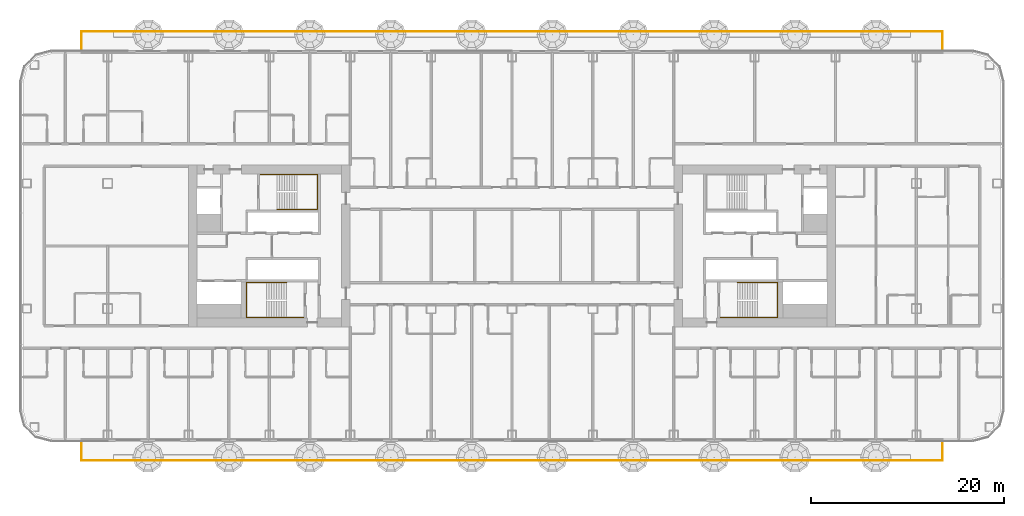
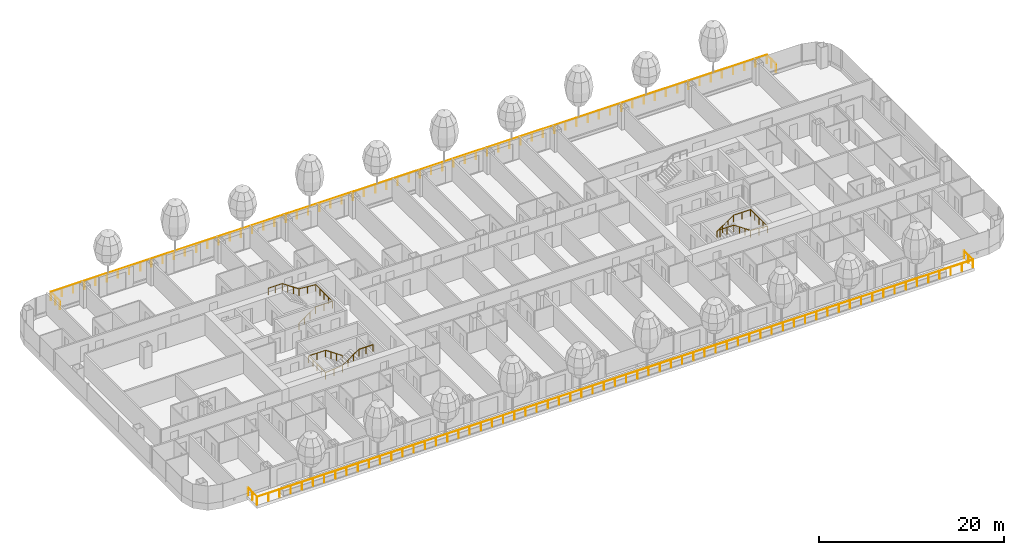
# One storey, part 30 of 37: 5 railings.
"""IFC4 building model written with IfcOpenShell, lengths in metres."""

from ifc_helpers import new_model, si_unit, direction, frame, origin, origin_2d, place, context, subcontext, project, spatial, circle, extrude, material, type_object, element, save


model = new_model("IFC4")

# Units and contexts
model_context = context("Model", 3, precision=1e-05, world=origin(), true_north=direction((0.0, 1.0)))
body_context = subcontext(model_context, "Body", "Model", "MODEL_VIEW")
ifc_project = project(units=[si_unit("LENGTHUNIT", "METRE"), si_unit("AREAUNIT", "SQUARE_METRE"), si_unit("VOLUMEUNIT", "CUBIC_METRE"), si_unit("PLANEANGLEUNIT", "RADIAN"), si_unit("MASSUNIT", "GRAM", prefix="KILO")], contexts=[model_context])

# Site, building, storey
site_placement = place(None, origin())
site = spatial("IfcSite", under=ifc_project, at=site_placement, CompositionType="ELEMENT")
building_placement = place(site_placement, origin())
building = spatial("IfcBuilding", under=site, at=building_placement, Name="Hakoniwa Tower and Hamabe Station Hall", CompositionType="ELEMENT")
storey_placement = place(building_placement, frame((0.0, 0.0, 39.0)))
storey = spatial("IfcBuildingStorey", under=building, at=storey_placement, Name="L10", CompositionType="ELEMENT", Elevation=39.0)

# Railings
ifc_material_1 = material(Name="Stainless steel and laminated glass", Category="steel")
railing_type_1 = type_object("IfcRailingType", Name="BALCONY BALUSTRADE 1100", PredefinedType="BALUSTRADE", material=ifc_material_1)
railing_1_placement = place(storey_placement, frame((-44.699951171875, 20.300048828125, 0.0)))
element("IfcRailing", 1, at=railing_1_placement, inside=storey, type_object=railing_type_1, Name="Balcony balustrade", PredefinedType="BALUSTRADE", context=body_context, shape_type="SweptSolid", body=[
    extrude(circle(Radius=0.02392578125, at=origin_2d()), frame((0.0, 0.0, 1.076171875), z_axis=(0.0, 1.0, 0.0), x_axis=(-1.0, 0.0, 0.0)), (0.0, 0.0, 1.0), 2.0),
    extrude(circle(Radius=0.02392578125, at=origin_2d()), frame((0.0, 2.0, 1.076171875), z_axis=(1.0, 0.0, 0.0), x_axis=(0.0, 1.0, 0.0)), (0.0, 0.0, 1.0), 89.39990234375),
    extrude(circle(Radius=0.02392578125, at=origin_2d()), frame((89.39990234375, 2.0, 1.076171875), z_axis=(0.0, -1.0, 0.0), x_axis=(1.0, 0.0, 0.0)), (0.0, 0.0, 1.0), 2.0),
    extrude(circle(Radius=0.02099609375, at=origin_2d()), origin(), (0.0, 0.0, 1.0), 1.052001953125),
    extrude(circle(Radius=0.02099609375, at=origin_2d()), frame((0.0, 1.0, 0.0)), (0.0, 0.0, 1.0), 1.052001953125),
    extrude(circle(Radius=0.02099609375, at=origin_2d()), frame((0.0, 2.0, 0.0)), (0.0, 0.0, 1.0), 1.052001953125),
    extrude(circle(Radius=0.02099609375, at=origin_2d()), frame((1.39697265625, 2.0, 0.0)), (0.0, 0.0, 1.0), 1.052001953125),
    extrude(circle(Radius=0.02099609375, at=origin_2d()), frame((2.793701171875, 2.0, 0.0)), (0.0, 0.0, 1.0), 1.052001953125),
    extrude(circle(Radius=0.02099609375, at=origin_2d()), frame((4.190673828125, 2.0, 0.0)), (0.0, 0.0, 1.0), 1.052001953125),
    extrude(circle(Radius=0.02099609375, at=origin_2d()), frame((5.58740234375, 2.0, 0.0)), (0.0, 0.0, 1.0), 1.052001953125),
    extrude(circle(Radius=0.02099609375, at=origin_2d()), frame((6.984375, 2.0, 0.0)), (0.0, 0.0, 1.0), 1.052001953125),
    extrude(circle(Radius=0.02099609375, at=origin_2d()), frame((8.38134765625, 2.0, 0.0)), (0.0, 0.0, 1.0), 1.052001953125),
    extrude(circle(Radius=0.02099609375, at=origin_2d()), frame((9.778076171875, 2.0, 0.0)), (0.0, 0.0, 1.0), 1.052001953125),
    extrude(circle(Radius=0.02099609375, at=origin_2d()), frame((11.175048828125, 2.0, 0.0)), (0.0, 0.0, 1.0), 1.052001953125),
    extrude(circle(Radius=0.02099609375, at=origin_2d()), frame((12.57177734375, 2.0, 0.0)), (0.0, 0.0, 1.0), 1.052001953125),
    extrude(circle(Radius=0.02099609375, at=origin_2d()), frame((13.96875, 2.0, 0.0)), (0.0, 0.0, 1.0), 1.052001953125),
    extrude(circle(Radius=0.02099609375, at=origin_2d()), frame((15.36572265625, 2.0, 0.0)), (0.0, 0.0, 1.0), 1.052001953125),
    extrude(circle(Radius=0.02099609375, at=origin_2d()), frame((16.762451171875, 2.0, 0.0)), (0.0, 0.0, 1.0), 1.052001953125),
    extrude(circle(Radius=0.02099609375, at=origin_2d()), frame((18.159423828125, 2.0, 0.0)), (0.0, 0.0, 1.0), 1.052001953125),
    extrude(circle(Radius=0.02099609375, at=origin_2d()), frame((19.55615234375, 2.0, 0.0)), (0.0, 0.0, 1.0), 1.052001953125),
    extrude(circle(Radius=0.02099609375, at=origin_2d()), frame((20.953125, 2.0, 0.0)), (0.0, 0.0, 1.0), 1.052001953125),
    extrude(circle(Radius=0.02099609375, at=origin_2d()), frame((22.35009765625, 2.0, 0.0)), (0.0, 0.0, 1.0), 1.052001953125),
    extrude(circle(Radius=0.02099609375, at=origin_2d()), frame((23.746826171875, 2.0, 0.0)), (0.0, 0.0, 1.0), 1.052001953125),
    extrude(circle(Radius=0.02099609375, at=origin_2d()), frame((25.143798828125, 2.0, 0.0)), (0.0, 0.0, 1.0), 1.052001953125),
    extrude(circle(Radius=0.02099609375, at=origin_2d()), frame((26.54052734375, 2.0, 0.0)), (0.0, 0.0, 1.0), 1.052001953125),
    extrude(circle(Radius=0.02099609375, at=origin_2d()), frame((27.9375, 2.0, 0.0)), (0.0, 0.0, 1.0), 1.052001953125),
    extrude(circle(Radius=0.02099609375, at=origin_2d()), frame((29.334228515625, 2.0, 0.0)), (0.0, 0.0, 1.0), 1.052001953125),
    extrude(circle(Radius=0.02099609375, at=origin_2d()), frame((30.731201171875, 2.0, 0.0)), (0.0, 0.0, 1.0), 1.052001953125),
    extrude(circle(Radius=0.02099609375, at=origin_2d()), frame((32.128173828125, 2.0, 0.0)), (0.0, 0.0, 1.0), 1.052001953125),
    extrude(circle(Radius=0.02099609375, at=origin_2d()), frame((33.52490234375, 2.0, 0.0)), (0.0, 0.0, 1.0), 1.052001953125),
    extrude(circle(Radius=0.02099609375, at=origin_2d()), frame((34.921875, 2.0, 0.0)), (0.0, 0.0, 1.0), 1.052001953125),
    extrude(circle(Radius=0.02099609375, at=origin_2d()), frame((36.318603515625, 2.0, 0.0)), (0.0, 0.0, 1.0), 1.052001953125),
    extrude(circle(Radius=0.02099609375, at=origin_2d()), frame((37.715576171875, 2.0, 0.0)), (0.0, 0.0, 1.0), 1.052001953125),
    extrude(circle(Radius=0.02099609375, at=origin_2d()), frame((39.112548828125, 2.0, 0.0)), (0.0, 0.0, 1.0), 1.052001953125),
    extrude(circle(Radius=0.02099609375, at=origin_2d()), frame((40.50927734375, 2.0, 0.0)), (0.0, 0.0, 1.0), 1.052001953125),
    extrude(circle(Radius=0.02099609375, at=origin_2d()), frame((41.90625, 2.0, 0.0)), (0.0, 0.0, 1.0), 1.052001953125),
    extrude(circle(Radius=0.02099609375, at=origin_2d()), frame((43.302978515625, 2.0, 0.0)), (0.0, 0.0, 1.0), 1.052001953125),
    extrude(circle(Radius=0.02099609375, at=origin_2d()), frame((44.699951171875, 2.0, 0.0)), (0.0, 0.0, 1.0), 1.052001953125),
    extrude(circle(Radius=0.02099609375, at=origin_2d()), frame((46.096923828125, 2.0, 0.0)), (0.0, 0.0, 1.0), 1.052001953125),
    extrude(circle(Radius=0.02099609375, at=origin_2d()), frame((47.49365234375, 2.0, 0.0)), (0.0, 0.0, 1.0), 1.052001953125),
    extrude(circle(Radius=0.02099609375, at=origin_2d()), frame((48.890625, 2.0, 0.0)), (0.0, 0.0, 1.0), 1.052001953125),
    extrude(circle(Radius=0.02099609375, at=origin_2d()), frame((50.287353515625, 2.0, 0.0)), (0.0, 0.0, 1.0), 1.052001953125),
    extrude(circle(Radius=0.02099609375, at=origin_2d()), frame((51.684326171875, 2.0, 0.0)), (0.0, 0.0, 1.0), 1.052001953125),
    extrude(circle(Radius=0.02099609375, at=origin_2d()), frame((53.081298828125, 2.0, 0.0)), (0.0, 0.0, 1.0), 1.052001953125),
    extrude(circle(Radius=0.02099609375, at=origin_2d()), frame((54.47802734375, 2.0, 0.0)), (0.0, 0.0, 1.0), 1.052001953125),
    extrude(circle(Radius=0.02099609375, at=origin_2d()), frame((55.875, 2.0, 0.0)), (0.0, 0.0, 1.0), 1.052001953125),
    extrude(circle(Radius=0.02099609375, at=origin_2d()), frame((57.271728515625, 2.0, 0.0)), (0.0, 0.0, 1.0), 1.052001953125),
    extrude(circle(Radius=0.02099609375, at=origin_2d()), frame((58.668701171875, 2.0, 0.0)), (0.0, 0.0, 1.0), 1.052001953125),
    extrude(circle(Radius=0.02099609375, at=origin_2d()), frame((60.065673828125, 2.0, 0.0)), (0.0, 0.0, 1.0), 1.052001953125),
    extrude(circle(Radius=0.02099609375, at=origin_2d()), frame((61.46240234375, 2.0, 0.0)), (0.0, 0.0, 1.0), 1.052001953125),
    extrude(circle(Radius=0.02099609375, at=origin_2d()), frame((62.859375, 2.0, 0.0)), (0.0, 0.0, 1.0), 1.052001953125),
    extrude(circle(Radius=0.02099609375, at=origin_2d()), frame((64.256103515625, 2.0, 0.0)), (0.0, 0.0, 1.0), 1.052001953125),
    extrude(circle(Radius=0.02099609375, at=origin_2d()), frame((65.653076171875, 2.0, 0.0)), (0.0, 0.0, 1.0), 1.052001953125),
    extrude(circle(Radius=0.02099609375, at=origin_2d()), frame((67.0498046875, 2.0, 0.0)), (0.0, 0.0, 1.0), 1.052001953125),
    extrude(circle(Radius=0.02099609375, at=origin_2d()), frame((68.44677734375, 2.0, 0.0)), (0.0, 0.0, 1.0), 1.052001953125),
    extrude(circle(Radius=0.02099609375, at=origin_2d()), frame((69.84375, 2.0, 0.0)), (0.0, 0.0, 1.0), 1.052001953125),
    extrude(circle(Radius=0.02099609375, at=origin_2d()), frame((71.240478515625, 2.0, 0.0)), (0.0, 0.0, 1.0), 1.052001953125),
    extrude(circle(Radius=0.02099609375, at=origin_2d()), frame((72.637451171875, 2.0, 0.0)), (0.0, 0.0, 1.0), 1.052001953125),
    extrude(circle(Radius=0.02099609375, at=origin_2d()), frame((74.0341796875, 2.0, 0.0)), (0.0, 0.0, 1.0), 1.052001953125),
    extrude(circle(Radius=0.02099609375, at=origin_2d()), frame((75.43115234375, 2.0, 0.0)), (0.0, 0.0, 1.0), 1.052001953125),
    extrude(circle(Radius=0.02099609375, at=origin_2d()), frame((76.828125, 2.0, 0.0)), (0.0, 0.0, 1.0), 1.052001953125),
    extrude(circle(Radius=0.02099609375, at=origin_2d()), frame((78.224853515625, 2.0, 0.0)), (0.0, 0.0, 1.0), 1.052001953125),
    extrude(circle(Radius=0.02099609375, at=origin_2d()), frame((79.621826171875, 2.0, 0.0)), (0.0, 0.0, 1.0), 1.052001953125),
    extrude(circle(Radius=0.02099609375, at=origin_2d()), frame((81.0185546875, 2.0, 0.0)), (0.0, 0.0, 1.0), 1.052001953125),
    extrude(circle(Radius=0.02099609375, at=origin_2d()), frame((82.41552734375, 2.0, 0.0)), (0.0, 0.0, 1.0), 1.052001953125),
    extrude(circle(Radius=0.02099609375, at=origin_2d()), frame((83.8125, 2.0, 0.0)), (0.0, 0.0, 1.0), 1.052001953125),
    extrude(circle(Radius=0.02099609375, at=origin_2d()), frame((85.209228515625, 2.0, 0.0)), (0.0, 0.0, 1.0), 1.052001953125),
    extrude(circle(Radius=0.02099609375, at=origin_2d()), frame((86.606201171875, 2.0, 0.0)), (0.0, 0.0, 1.0), 1.052001953125),
    extrude(circle(Radius=0.02099609375, at=origin_2d()), frame((88.0029296875, 2.0, 0.0)), (0.0, 0.0, 1.0), 1.052001953125),
    extrude(circle(Radius=0.02099609375, at=origin_2d()), frame((89.39990234375, 2.0, 0.0)), (0.0, 0.0, 1.0), 1.052001953125),
    extrude(circle(Radius=0.02099609375, at=origin_2d()), frame((89.39990234375, 1.0, 0.0)), (0.0, 0.0, 1.0), 1.052001953125),
    extrude(circle(Radius=0.02099609375, at=origin_2d()), frame((89.39990234375, 0.0, 0.0)), (0.0, 0.0, 1.0), 1.052001953125),
])
railing_2_placement = place(storey_placement, frame((-44.699951171875, -20.300048828125, 0.0)))
element("IfcRailing", 2, at=railing_2_placement, inside=storey, type_object=railing_type_1, Name="Balcony balustrade", PredefinedType="BALUSTRADE", context=body_context, shape_type="SweptSolid", body=[
    extrude(circle(Radius=0.02392578125, at=origin_2d()), frame((0.0, 0.0, 1.076171875), z_axis=(0.0, -1.0, 0.0), x_axis=(1.0, 0.0, 0.0)), (0.0, 0.0, 1.0), 2.0),
    extrude(circle(Radius=0.02392578125, at=origin_2d()), frame((0.0, -2.0, 1.076171875), z_axis=(1.0, 0.0, 0.0), x_axis=(0.0, 1.0, 0.0)), (0.0, 0.0, 1.0), 89.39990234375),
    extrude(circle(Radius=0.02392578125, at=origin_2d()), frame((89.39990234375, -2.0, 1.076171875), z_axis=(0.0, 1.0, 0.0), x_axis=(-1.0, 0.0, 0.0)), (0.0, 0.0, 1.0), 2.0),
    extrude(circle(Radius=0.02099609375, at=origin_2d()), origin(), (0.0, 0.0, 1.0), 1.052001953125),
    extrude(circle(Radius=0.02099609375, at=origin_2d()), frame((0.0, -1.0, 0.0)), (0.0, 0.0, 1.0), 1.052001953125),
    extrude(circle(Radius=0.02099609375, at=origin_2d()), frame((0.0, -2.0, 0.0)), (0.0, 0.0, 1.0), 1.052001953125),
    extrude(circle(Radius=0.02099609375, at=origin_2d()), frame((1.39697265625, -2.0, 0.0)), (0.0, 0.0, 1.0), 1.052001953125),
    extrude(circle(Radius=0.02099609375, at=origin_2d()), frame((2.793701171875, -2.0, 0.0)), (0.0, 0.0, 1.0), 1.052001953125),
    extrude(circle(Radius=0.02099609375, at=origin_2d()), frame((4.190673828125, -2.0, 0.0)), (0.0, 0.0, 1.0), 1.052001953125),
    extrude(circle(Radius=0.02099609375, at=origin_2d()), frame((5.58740234375, -2.0, 0.0)), (0.0, 0.0, 1.0), 1.052001953125),
    extrude(circle(Radius=0.02099609375, at=origin_2d()), frame((6.984375, -2.0, 0.0)), (0.0, 0.0, 1.0), 1.052001953125),
    extrude(circle(Radius=0.02099609375, at=origin_2d()), frame((8.38134765625, -2.0, 0.0)), (0.0, 0.0, 1.0), 1.052001953125),
    extrude(circle(Radius=0.02099609375, at=origin_2d()), frame((9.778076171875, -2.0, 0.0)), (0.0, 0.0, 1.0), 1.052001953125),
    extrude(circle(Radius=0.02099609375, at=origin_2d()), frame((11.175048828125, -2.0, 0.0)), (0.0, 0.0, 1.0), 1.052001953125),
    extrude(circle(Radius=0.02099609375, at=origin_2d()), frame((12.57177734375, -2.0, 0.0)), (0.0, 0.0, 1.0), 1.052001953125),
    extrude(circle(Radius=0.02099609375, at=origin_2d()), frame((13.96875, -2.0, 0.0)), (0.0, 0.0, 1.0), 1.052001953125),
    extrude(circle(Radius=0.02099609375, at=origin_2d()), frame((15.36572265625, -2.0, 0.0)), (0.0, 0.0, 1.0), 1.052001953125),
    extrude(circle(Radius=0.02099609375, at=origin_2d()), frame((16.762451171875, -2.0, 0.0)), (0.0, 0.0, 1.0), 1.052001953125),
    extrude(circle(Radius=0.02099609375, at=origin_2d()), frame((18.159423828125, -2.0, 0.0)), (0.0, 0.0, 1.0), 1.052001953125),
    extrude(circle(Radius=0.02099609375, at=origin_2d()), frame((19.55615234375, -2.0, 0.0)), (0.0, 0.0, 1.0), 1.052001953125),
    extrude(circle(Radius=0.02099609375, at=origin_2d()), frame((20.953125, -2.0, 0.0)), (0.0, 0.0, 1.0), 1.052001953125),
    extrude(circle(Radius=0.02099609375, at=origin_2d()), frame((22.35009765625, -2.0, 0.0)), (0.0, 0.0, 1.0), 1.052001953125),
    extrude(circle(Radius=0.02099609375, at=origin_2d()), frame((23.746826171875, -2.0, 0.0)), (0.0, 0.0, 1.0), 1.052001953125),
    extrude(circle(Radius=0.02099609375, at=origin_2d()), frame((25.143798828125, -2.0, 0.0)), (0.0, 0.0, 1.0), 1.052001953125),
    extrude(circle(Radius=0.02099609375, at=origin_2d()), frame((26.54052734375, -2.0, 0.0)), (0.0, 0.0, 1.0), 1.052001953125),
    extrude(circle(Radius=0.02099609375, at=origin_2d()), frame((27.9375, -2.0, 0.0)), (0.0, 0.0, 1.0), 1.052001953125),
    extrude(circle(Radius=0.02099609375, at=origin_2d()), frame((29.334228515625, -2.0, 0.0)), (0.0, 0.0, 1.0), 1.052001953125),
    extrude(circle(Radius=0.02099609375, at=origin_2d()), frame((30.731201171875, -2.0, 0.0)), (0.0, 0.0, 1.0), 1.052001953125),
    extrude(circle(Radius=0.02099609375, at=origin_2d()), frame((32.128173828125, -2.0, 0.0)), (0.0, 0.0, 1.0), 1.052001953125),
    extrude(circle(Radius=0.02099609375, at=origin_2d()), frame((33.52490234375, -2.0, 0.0)), (0.0, 0.0, 1.0), 1.052001953125),
    extrude(circle(Radius=0.02099609375, at=origin_2d()), frame((34.921875, -2.0, 0.0)), (0.0, 0.0, 1.0), 1.052001953125),
    extrude(circle(Radius=0.02099609375, at=origin_2d()), frame((36.318603515625, -2.0, 0.0)), (0.0, 0.0, 1.0), 1.052001953125),
    extrude(circle(Radius=0.02099609375, at=origin_2d()), frame((37.715576171875, -2.0, 0.0)), (0.0, 0.0, 1.0), 1.052001953125),
    extrude(circle(Radius=0.02099609375, at=origin_2d()), frame((39.112548828125, -2.0, 0.0)), (0.0, 0.0, 1.0), 1.052001953125),
    extrude(circle(Radius=0.02099609375, at=origin_2d()), frame((40.50927734375, -2.0, 0.0)), (0.0, 0.0, 1.0), 1.052001953125),
    extrude(circle(Radius=0.02099609375, at=origin_2d()), frame((41.90625, -2.0, 0.0)), (0.0, 0.0, 1.0), 1.052001953125),
    extrude(circle(Radius=0.02099609375, at=origin_2d()), frame((43.302978515625, -2.0, 0.0)), (0.0, 0.0, 1.0), 1.052001953125),
    extrude(circle(Radius=0.02099609375, at=origin_2d()), frame((44.699951171875, -2.0, 0.0)), (0.0, 0.0, 1.0), 1.052001953125),
    extrude(circle(Radius=0.02099609375, at=origin_2d()), frame((46.096923828125, -2.0, 0.0)), (0.0, 0.0, 1.0), 1.052001953125),
    extrude(circle(Radius=0.02099609375, at=origin_2d()), frame((47.49365234375, -2.0, 0.0)), (0.0, 0.0, 1.0), 1.052001953125),
    extrude(circle(Radius=0.02099609375, at=origin_2d()), frame((48.890625, -2.0, 0.0)), (0.0, 0.0, 1.0), 1.052001953125),
    extrude(circle(Radius=0.02099609375, at=origin_2d()), frame((50.287353515625, -2.0, 0.0)), (0.0, 0.0, 1.0), 1.052001953125),
    extrude(circle(Radius=0.02099609375, at=origin_2d()), frame((51.684326171875, -2.0, 0.0)), (0.0, 0.0, 1.0), 1.052001953125),
    extrude(circle(Radius=0.02099609375, at=origin_2d()), frame((53.081298828125, -2.0, 0.0)), (0.0, 0.0, 1.0), 1.052001953125),
    extrude(circle(Radius=0.02099609375, at=origin_2d()), frame((54.47802734375, -2.0, 0.0)), (0.0, 0.0, 1.0), 1.052001953125),
    extrude(circle(Radius=0.02099609375, at=origin_2d()), frame((55.875, -2.0, 0.0)), (0.0, 0.0, 1.0), 1.052001953125),
    extrude(circle(Radius=0.02099609375, at=origin_2d()), frame((57.271728515625, -2.0, 0.0)), (0.0, 0.0, 1.0), 1.052001953125),
    extrude(circle(Radius=0.02099609375, at=origin_2d()), frame((58.668701171875, -2.0, 0.0)), (0.0, 0.0, 1.0), 1.052001953125),
    extrude(circle(Radius=0.02099609375, at=origin_2d()), frame((60.065673828125, -2.0, 0.0)), (0.0, 0.0, 1.0), 1.052001953125),
    extrude(circle(Radius=0.02099609375, at=origin_2d()), frame((61.46240234375, -2.0, 0.0)), (0.0, 0.0, 1.0), 1.052001953125),
    extrude(circle(Radius=0.02099609375, at=origin_2d()), frame((62.859375, -2.0, 0.0)), (0.0, 0.0, 1.0), 1.052001953125),
    extrude(circle(Radius=0.02099609375, at=origin_2d()), frame((64.256103515625, -2.0, 0.0)), (0.0, 0.0, 1.0), 1.052001953125),
    extrude(circle(Radius=0.02099609375, at=origin_2d()), frame((65.653076171875, -2.0, 0.0)), (0.0, 0.0, 1.0), 1.052001953125),
    extrude(circle(Radius=0.02099609375, at=origin_2d()), frame((67.0498046875, -2.0, 0.0)), (0.0, 0.0, 1.0), 1.052001953125),
    extrude(circle(Radius=0.02099609375, at=origin_2d()), frame((68.44677734375, -2.0, 0.0)), (0.0, 0.0, 1.0), 1.052001953125),
    extrude(circle(Radius=0.02099609375, at=origin_2d()), frame((69.84375, -2.0, 0.0)), (0.0, 0.0, 1.0), 1.052001953125),
    extrude(circle(Radius=0.02099609375, at=origin_2d()), frame((71.240478515625, -2.0, 0.0)), (0.0, 0.0, 1.0), 1.052001953125),
    extrude(circle(Radius=0.02099609375, at=origin_2d()), frame((72.637451171875, -2.0, 0.0)), (0.0, 0.0, 1.0), 1.052001953125),
    extrude(circle(Radius=0.02099609375, at=origin_2d()), frame((74.0341796875, -2.0, 0.0)), (0.0, 0.0, 1.0), 1.052001953125),
    extrude(circle(Radius=0.02099609375, at=origin_2d()), frame((75.43115234375, -2.0, 0.0)), (0.0, 0.0, 1.0), 1.052001953125),
    extrude(circle(Radius=0.02099609375, at=origin_2d()), frame((76.828125, -2.0, 0.0)), (0.0, 0.0, 1.0), 1.052001953125),
    extrude(circle(Radius=0.02099609375, at=origin_2d()), frame((78.224853515625, -2.0, 0.0)), (0.0, 0.0, 1.0), 1.052001953125),
    extrude(circle(Radius=0.02099609375, at=origin_2d()), frame((79.621826171875, -2.0, 0.0)), (0.0, 0.0, 1.0), 1.052001953125),
    extrude(circle(Radius=0.02099609375, at=origin_2d()), frame((81.0185546875, -2.0, 0.0)), (0.0, 0.0, 1.0), 1.052001953125),
    extrude(circle(Radius=0.02099609375, at=origin_2d()), frame((82.41552734375, -2.0, 0.0)), (0.0, 0.0, 1.0), 1.052001953125),
    extrude(circle(Radius=0.02099609375, at=origin_2d()), frame((83.8125, -2.0, 0.0)), (0.0, 0.0, 1.0), 1.052001953125),
    extrude(circle(Radius=0.02099609375, at=origin_2d()), frame((85.209228515625, -2.0, 0.0)), (0.0, 0.0, 1.0), 1.052001953125),
    extrude(circle(Radius=0.02099609375, at=origin_2d()), frame((86.606201171875, -2.0, 0.0)), (0.0, 0.0, 1.0), 1.052001953125),
    extrude(circle(Radius=0.02099609375, at=origin_2d()), frame((88.0029296875, -2.0, 0.0)), (0.0, 0.0, 1.0), 1.052001953125),
    extrude(circle(Radius=0.02099609375, at=origin_2d()), frame((89.39990234375, -2.0, 0.0)), (0.0, 0.0, 1.0), 1.052001953125),
    extrude(circle(Radius=0.02099609375, at=origin_2d()), frame((89.39990234375, -1.0, 0.0)), (0.0, 0.0, 1.0), 1.052001953125),
    extrude(circle(Radius=0.02099609375, at=origin_2d()), frame((89.39990234375, 0.0, 0.0)), (0.0, 0.0, 1.0), 1.052001953125),
])
ifc_material_2 = material(Name="Stainless steel SUS304", Category="steel")
railing_type_2 = type_object("IfcRailingType", Name="STAIR HANDRAIL 900", PredefinedType="HANDRAIL", material=ifc_material_2)
railing_3_placement = place(storey_placement, frame((-24.39990234375, 3.81005859375, 0.177734375)))
element("IfcRailing", 3, at=railing_3_placement, inside=storey, type_object=railing_type_2, Name="Handrail ST-1 L10 1", PredefinedType="HANDRAIL", context=body_context, shape_type="SweptSolid", body=[
    extrude(circle(Radius=0.02392578125, at=origin_2d()), frame((0.0, 0.0, 0.8759765625), z_axis=(0.825433201882, 0.0, 0.564499804456), x_axis=(0.0, 1.0, 0.0)), (0.0, 0.0, 1.0), 2.519775390625),
    extrude(circle(Radius=0.02392578125, at=origin_2d()), frame((2.079833984375, 0.0, 2.29833984375), z_axis=(1.0, 0.0, 0.0), x_axis=(0.0, 1.0, 0.0)), (0.0, 0.0, 1.0), 2.110107421875),
    extrude(circle(Radius=0.02392578125, at=origin_2d()), frame((4.18994140625, 0.0, 2.29833984375), z_axis=(0.0, 1.0, 0.0), x_axis=(-1.0, 0.0, 0.0)), (0.0, 0.0, 1.0), 3.6298828125),
    extrude(circle(Radius=0.02392578125, at=origin_2d()), frame((4.18994140625, 3.6298828125, 2.29833984375), z_axis=(-0.996471417081, 0.0, 0.083932800143), x_axis=(0.0, -1.0, 0.0)), (0.0, 0.0, 1.0), 2.11767578125),
    extrude(circle(Radius=0.02392578125, at=origin_2d()), frame((2.079833984375, 3.6298828125, 2.47607421875), z_axis=(-0.825478349766, 0.0, 0.564433781827), x_axis=(0.0, -1.0, 0.0)), (0.0, 0.0, 1.0), 2.51953125),
    extrude(circle(Radius=0.02392578125, at=origin_2d()), frame((0.0, 3.6298828125, 3.89794921875), z_axis=(-1.0, 0.0, 0.0), x_axis=(0.0, -1.0, 0.0)), (0.0, 0.0, 1.0), 1.739990234375),
    extrude(circle(Radius=0.02099609375, at=origin_2d()), origin(), (0.0, 0.0, 1.0), 0.851806640625),
    extrude(circle(Radius=0.02099609375, at=origin_2d()), frame((0.693359375, 0.0, 0.47412109375)), (0.0, 0.0, 1.0), 0.851806640625),
    extrude(circle(Radius=0.02099609375, at=origin_2d()), frame((1.386474609375, 0.0, 0.9482421875)), (0.0, 0.0, 1.0), 0.851806640625),
    extrude(circle(Radius=0.02099609375, at=origin_2d()), frame((2.079833984375, 0.0, 1.42236328125)), (0.0, 0.0, 1.0), 0.851806640625),
    extrude(circle(Radius=0.02099609375, at=origin_2d()), frame((3.134765625, 0.0, 1.42236328125)), (0.0, 0.0, 1.0), 0.851806640625),
    extrude(circle(Radius=0.02099609375, at=origin_2d()), frame((4.18994140625, 0.0, 1.42236328125)), (0.0, 0.0, 1.0), 0.851806640625),
    extrude(circle(Radius=0.02099609375, at=origin_2d()), frame((4.18994140625, 0.907470703125, 1.42236328125)), (0.0, 0.0, 1.0), 0.851806640625),
    extrude(circle(Radius=0.02099609375, at=origin_2d()), frame((4.18994140625, 1.81494140625, 1.42236328125)), (0.0, 0.0, 1.0), 0.851806640625),
    extrude(circle(Radius=0.02099609375, at=origin_2d()), frame((4.18994140625, 2.722412109375, 1.42236328125)), (0.0, 0.0, 1.0), 0.851806640625),
    extrude(circle(Radius=0.02099609375, at=origin_2d()), frame((4.18994140625, 3.6298828125, 1.42236328125)), (0.0, 0.0, 1.0), 0.851806640625),
    extrude(circle(Radius=0.02099609375, at=origin_2d()), frame((3.134765625, 3.6298828125, 1.51123046875)), (0.0, 0.0, 1.0), 0.851806640625),
    extrude(circle(Radius=0.02099609375, at=origin_2d()), frame((2.079833984375, 3.6298828125, 1.60009765625)), (0.0, 0.0, 1.0), 0.851806640625),
    extrude(circle(Radius=0.02099609375, at=origin_2d()), frame((1.386474609375, 3.6298828125, 2.07421875)), (0.0, 0.0, 1.0), 0.851806640625),
    extrude(circle(Radius=0.02099609375, at=origin_2d()), frame((0.693359375, 3.6298828125, 2.548095703125)), (0.0, 0.0, 1.0), 0.851806640625),
    extrude(circle(Radius=0.02099609375, at=origin_2d()), frame((0.0, 3.6298828125, 3.022216796875)), (0.0, 0.0, 1.0), 0.851806640625),
    extrude(circle(Radius=0.02099609375, at=origin_2d()), frame((-0.8701171875, 3.6298828125, 3.022216796875)), (0.0, 0.0, 1.0), 0.851806640625),
    extrude(circle(Radius=0.02099609375, at=origin_2d()), frame((-1.739990234375, 3.6298828125, 3.022216796875)), (0.0, 0.0, 1.0), 0.851806640625),
])
railing_4_placement = place(storey_placement, frame((-23.39990234375, -3.81005859375, 0.177734375)))
element("IfcRailing", 4, at=railing_4_placement, inside=storey, type_object=railing_type_2, Name="Handrail ST-2 L10 1", PredefinedType="HANDRAIL", context=body_context, shape_type="SweptSolid", body=[
    extrude(circle(Radius=0.02392578125, at=origin_2d()), frame((0.0, 0.0, 0.8759765625), z_axis=(-0.825464074169, 0.0, 0.564454659168), x_axis=(0.0, -1.0, 0.0)), (0.0, 0.0, 1.0), 2.519775390625),
    extrude(circle(Radius=0.02392578125, at=origin_2d()), frame((-2.080078125, 0.0, 2.29833984375), z_axis=(-1.0, 0.0, 0.0), x_axis=(0.0, -1.0, 0.0)), (0.0, 0.0, 1.0), 2.110107421875),
    extrude(circle(Radius=0.02392578125, at=origin_2d()), frame((-4.190185546875, 0.0, 2.29833984375), z_axis=(0.0, -1.0, 0.0), x_axis=(1.0, 0.0, 0.0)), (0.0, 0.0, 1.0), 3.6298828125),
    extrude(circle(Radius=0.02392578125, at=origin_2d()), frame((-4.190185546875, -3.6298828125, 2.29833984375), z_axis=(0.996471417081, 0.0, 0.083932800143), x_axis=(0.0, 1.0, 0.0)), (0.0, 0.0, 1.0), 2.11767578125),
    extrude(circle(Radius=0.02392578125, at=origin_2d()), frame((-2.080078125, -3.6298828125, 2.47607421875), z_axis=(0.82550921652, 0.0, 0.564388636881), x_axis=(0.0, 1.0, 0.0)), (0.0, 0.0, 1.0), 2.519775390625),
    extrude(circle(Radius=0.02392578125, at=origin_2d()), frame((0.0, -3.6298828125, 3.89794921875), z_axis=(1.0, 0.0, 0.0), x_axis=(0.0, 1.0, 0.0)), (0.0, 0.0, 1.0), 1.739990234375),
    extrude(circle(Radius=0.02099609375, at=origin_2d()), origin(), (0.0, 0.0, 1.0), 0.851806640625),
    extrude(circle(Radius=0.02099609375, at=origin_2d()), frame((-0.693359375, 0.0, 0.47412109375)), (0.0, 0.0, 1.0), 0.851806640625),
    extrude(circle(Radius=0.02099609375, at=origin_2d()), frame((-1.38671875, 0.0, 0.9482421875)), (0.0, 0.0, 1.0), 0.851806640625),
    extrude(circle(Radius=0.02099609375, at=origin_2d()), frame((-2.080078125, 0.0, 1.42236328125)), (0.0, 0.0, 1.0), 0.851806640625),
    extrude(circle(Radius=0.02099609375, at=origin_2d()), frame((-3.13525390625, 0.0, 1.42236328125)), (0.0, 0.0, 1.0), 0.851806640625),
    extrude(circle(Radius=0.02099609375, at=origin_2d()), frame((-4.190185546875, 0.0, 1.42236328125)), (0.0, 0.0, 1.0), 0.851806640625),
    extrude(circle(Radius=0.02099609375, at=origin_2d()), frame((-4.190185546875, -0.907470703125, 1.42236328125)), (0.0, 0.0, 1.0), 0.851806640625),
    extrude(circle(Radius=0.02099609375, at=origin_2d()), frame((-4.190185546875, -1.81494140625, 1.42236328125)), (0.0, 0.0, 1.0), 0.851806640625),
    extrude(circle(Radius=0.02099609375, at=origin_2d()), frame((-4.190185546875, -2.722412109375, 1.42236328125)), (0.0, 0.0, 1.0), 0.851806640625),
    extrude(circle(Radius=0.02099609375, at=origin_2d()), frame((-4.190185546875, -3.6298828125, 1.42236328125)), (0.0, 0.0, 1.0), 0.851806640625),
    extrude(circle(Radius=0.02099609375, at=origin_2d()), frame((-3.13525390625, -3.6298828125, 1.51123046875)), (0.0, 0.0, 1.0), 0.851806640625),
    extrude(circle(Radius=0.02099609375, at=origin_2d()), frame((-2.080078125, -3.6298828125, 1.60009765625)), (0.0, 0.0, 1.0), 0.851806640625),
    extrude(circle(Radius=0.02099609375, at=origin_2d()), frame((-1.38671875, -3.6298828125, 2.07421875)), (0.0, 0.0, 1.0), 0.851806640625),
    extrude(circle(Radius=0.02099609375, at=origin_2d()), frame((-0.693359375, -3.6298828125, 2.548095703125)), (0.0, 0.0, 1.0), 0.851806640625),
    extrude(circle(Radius=0.02099609375, at=origin_2d()), frame((0.0, -3.6298828125, 3.022216796875)), (0.0, 0.0, 1.0), 0.851806640625),
    extrude(circle(Radius=0.02099609375, at=origin_2d()), frame((0.8701171875, -3.6298828125, 3.022216796875)), (0.0, 0.0, 1.0), 0.851806640625),
    extrude(circle(Radius=0.02099609375, at=origin_2d()), frame((1.739990234375, -3.6298828125, 3.022216796875)), (0.0, 0.0, 1.0), 0.851806640625),
])
railing_5_placement = place(storey_placement, frame((23.39990234375, -3.81005859375, 0.177734375)))
element("IfcRailing", 5, at=railing_5_placement, inside=storey, type_object=railing_type_2, Name="Handrail ST-4 L10 1", PredefinedType="HANDRAIL", context=body_context, shape_type="SweptSolid", body=[
    extrude(circle(Radius=0.02392578125, at=origin_2d()), frame((0.0, 0.0, 0.8759765625), z_axis=(0.825464074169, 0.0, 0.564454659168), x_axis=(0.0, 1.0, 0.0)), (0.0, 0.0, 1.0), 2.519775390625),
    extrude(circle(Radius=0.02392578125, at=origin_2d()), frame((2.080078125, 0.0, 2.29833984375), z_axis=(1.0, 0.0, 0.0), x_axis=(0.0, 1.0, 0.0)), (0.0, 0.0, 1.0), 2.110107421875),
    extrude(circle(Radius=0.02392578125, at=origin_2d()), frame((4.190185546875, 0.0, 2.29833984375), z_axis=(0.0, -1.0, 0.0), x_axis=(1.0, 0.0, 0.0)), (0.0, 0.0, 1.0), 3.6298828125),
    extrude(circle(Radius=0.02392578125, at=origin_2d()), frame((4.190185546875, -3.6298828125, 2.29833984375), z_axis=(-0.996471417081, 0.0, 0.083932800143), x_axis=(0.0, -1.0, 0.0)), (0.0, 0.0, 1.0), 2.11767578125),
    extrude(circle(Radius=0.02392578125, at=origin_2d()), frame((2.080078125, -3.6298828125, 2.47607421875), z_axis=(-0.82550921652, 0.0, 0.564388636881), x_axis=(0.0, -1.0, 0.0)), (0.0, 0.0, 1.0), 2.519775390625),
    extrude(circle(Radius=0.02392578125, at=origin_2d()), frame((0.0, -3.6298828125, 3.89794921875), z_axis=(-1.0, 0.0, 0.0), x_axis=(0.0, -1.0, 0.0)), (0.0, 0.0, 1.0), 1.739990234375),
    extrude(circle(Radius=0.02099609375, at=origin_2d()), origin(), (0.0, 0.0, 1.0), 0.851806640625),
    extrude(circle(Radius=0.02099609375, at=origin_2d()), frame((0.693359375, 0.0, 0.47412109375)), (0.0, 0.0, 1.0), 0.851806640625),
    extrude(circle(Radius=0.02099609375, at=origin_2d()), frame((1.38671875, 0.0, 0.9482421875)), (0.0, 0.0, 1.0), 0.851806640625),
    extrude(circle(Radius=0.02099609375, at=origin_2d()), frame((2.080078125, 0.0, 1.42236328125)), (0.0, 0.0, 1.0), 0.851806640625),
    extrude(circle(Radius=0.02099609375, at=origin_2d()), frame((3.13525390625, 0.0, 1.42236328125)), (0.0, 0.0, 1.0), 0.851806640625),
    extrude(circle(Radius=0.02099609375, at=origin_2d()), frame((4.190185546875, 0.0, 1.42236328125)), (0.0, 0.0, 1.0), 0.851806640625),
    extrude(circle(Radius=0.02099609375, at=origin_2d()), frame((4.190185546875, -0.907470703125, 1.42236328125)), (0.0, 0.0, 1.0), 0.851806640625),
    extrude(circle(Radius=0.02099609375, at=origin_2d()), frame((4.190185546875, -1.81494140625, 1.42236328125)), (0.0, 0.0, 1.0), 0.851806640625),
    extrude(circle(Radius=0.02099609375, at=origin_2d()), frame((4.190185546875, -2.722412109375, 1.42236328125)), (0.0, 0.0, 1.0), 0.851806640625),
    extrude(circle(Radius=0.02099609375, at=origin_2d()), frame((4.190185546875, -3.6298828125, 1.42236328125)), (0.0, 0.0, 1.0), 0.851806640625),
    extrude(circle(Radius=0.02099609375, at=origin_2d()), frame((3.13525390625, -3.6298828125, 1.51123046875)), (0.0, 0.0, 1.0), 0.851806640625),
    extrude(circle(Radius=0.02099609375, at=origin_2d()), frame((2.080078125, -3.6298828125, 1.60009765625)), (0.0, 0.0, 1.0), 0.851806640625),
    extrude(circle(Radius=0.02099609375, at=origin_2d()), frame((1.38671875, -3.6298828125, 2.07421875)), (0.0, 0.0, 1.0), 0.851806640625),
    extrude(circle(Radius=0.02099609375, at=origin_2d()), frame((0.693359375, -3.6298828125, 2.548095703125)), (0.0, 0.0, 1.0), 0.851806640625),
    extrude(circle(Radius=0.02099609375, at=origin_2d()), frame((0.0, -3.6298828125, 3.022216796875)), (0.0, 0.0, 1.0), 0.851806640625),
    extrude(circle(Radius=0.02099609375, at=origin_2d()), frame((-0.8701171875, -3.6298828125, 3.022216796875)), (0.0, 0.0, 1.0), 0.851806640625),
    extrude(circle(Radius=0.02099609375, at=origin_2d()), frame((-1.739990234375, -3.6298828125, 3.022216796875)), (0.0, 0.0, 1.0), 0.851806640625),
])

save(model, "model.ifc")
